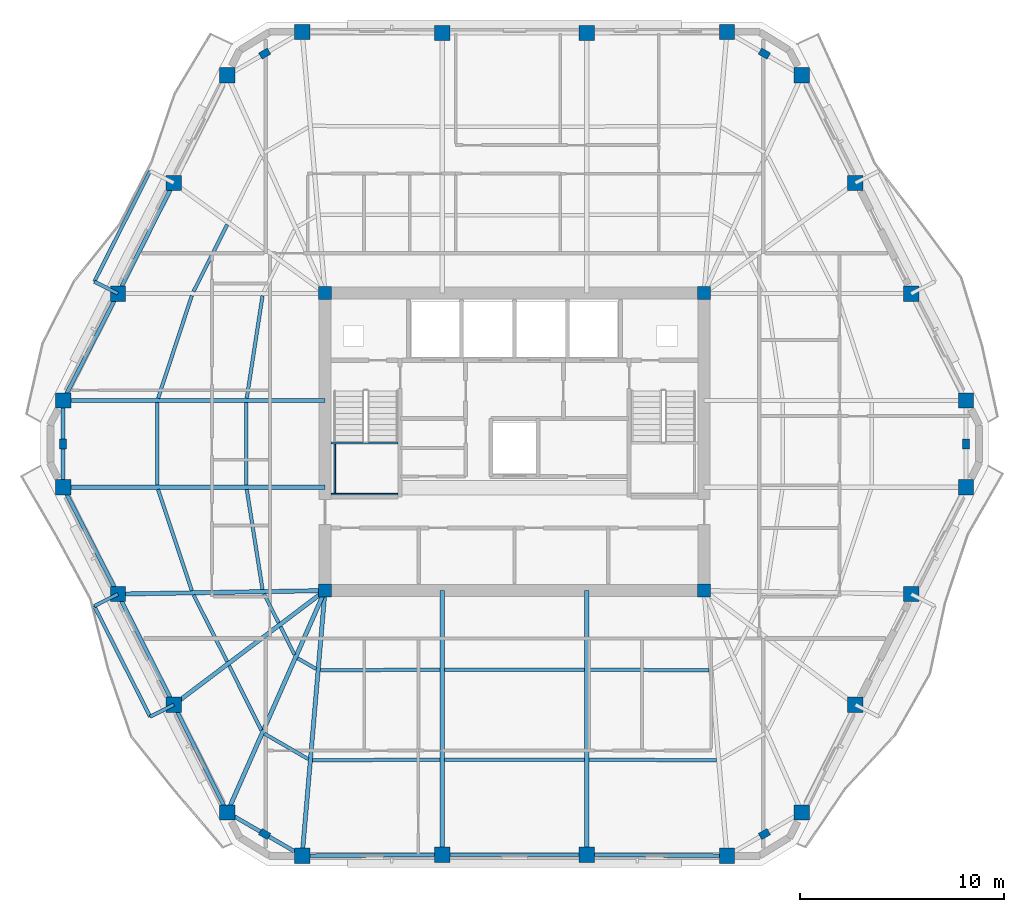
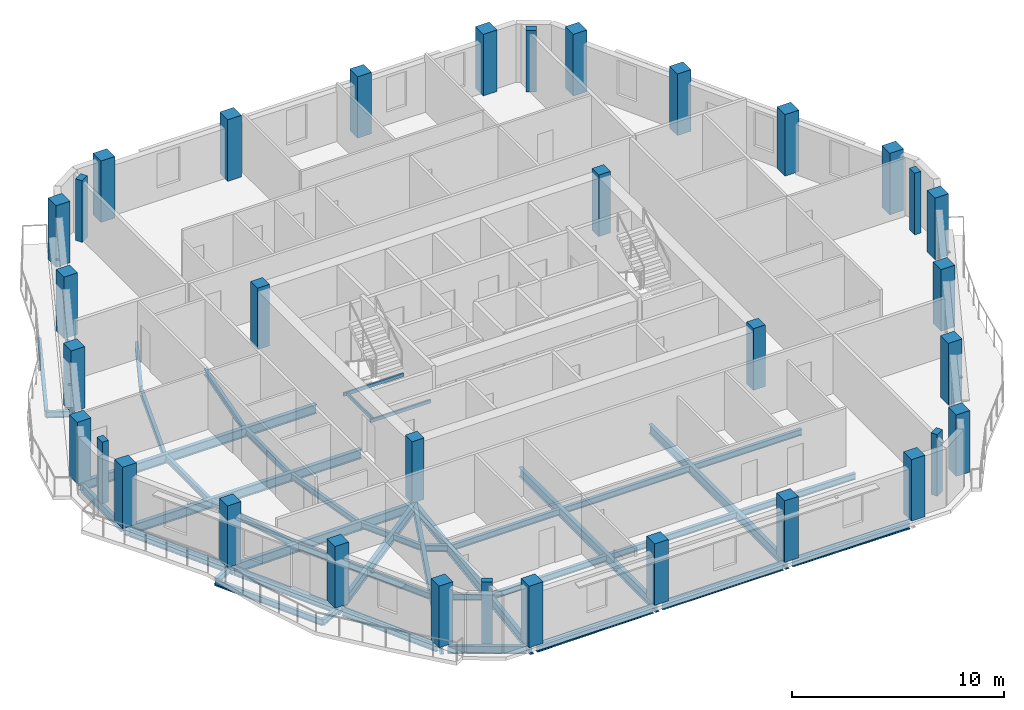
# One storey, part 1 of 12: 45 beams, 34 columns.
"""IFC4 building model written with IfcOpenShell, lengths in metres."""

from ifc_helpers import new_model, si_unit, direction, frame, origin, origin_2d, place, context, subcontext, project, spatial, rectangle, hollow_rectangle, i_section, extrude, material, material_profile, profile_set, type_object, element, save


model = new_model("IFC4")

# Units and contexts
model_context = context("Model", 3, precision=1e-05, world=origin(), true_north=direction((0.0, 1.0)))
body_context = subcontext(model_context, "Body", "Model", "MODEL_VIEW")
ifc_project = project(units=[si_unit("LENGTHUNIT", "METRE"), si_unit("AREAUNIT", "SQUARE_METRE"), si_unit("VOLUMEUNIT", "CUBIC_METRE"), si_unit("PLANEANGLEUNIT", "RADIAN"), si_unit("MASSUNIT", "GRAM", prefix="KILO")], contexts=[model_context])

# Site, building, storey
site_placement = place(None, origin())
site = spatial("IfcSite", under=ifc_project, at=site_placement, CompositionType="ELEMENT")
building_placement = place(site_placement, origin())
building = spatial("IfcBuilding", under=site, at=building_placement, Name="Cinnabar Lancet Tower", CompositionType="ELEMENT")
storey_placement = place(building_placement, frame((0.0, 0.0, 210.949951171875)))
storey = spatial("IfcBuildingStorey", under=building, at=storey_placement, Name="L56", CompositionType="ELEMENT", Elevation=210.949951171875)

# Columns
ifc_material_1 = material(Name="Concrete C60/75", Category="concrete")
ifc_material_profile_1 = material_profile(ifc_material_1, rectangle(XDim=0.64990234375, YDim=0.64990234375, at=origin_2d()), Name="RC-COL 650x650")
ifc_profile_set_1 = profile_set([ifc_material_profile_1], Name="Concrete C60/75")
column_type_1 = type_object("IfcColumnType", Name="STR-COL-CORE-650", PredefinedType="COLUMN", material=ifc_profile_set_1)
for number, where, z_axis, x_axis, name in (
    (1, (23.10009765625, 18.60009765625, 0.0), (0.0, 0.0, 1.0), (1.0, 0.0, 0.0), "L56 Core Corner Column SW"),
    (2, (41.699951171875, 18.60009765625, 0.0), (0.0, 0.0, 1.0), (1.0, 0.0, 0.0), "L56 Core Corner Column SE"),
    (3, (41.699951171875, 33.199951171875, 0.0), (0.0, 0.0, 1.0), (1.0, 0.0, 0.0), "L56 Core Corner Column NE"),
    (4, (23.10009765625, 33.199951171875, 0.0), (0.0, 0.0, 1.0), (1.0, 0.0, 0.0), "L56 Core Corner Column NW"),
):
    element("IfcColumn", number, at=place(storey_placement, frame(where, z_axis=z_axis, x_axis=x_axis)), inside=storey, type_object=column_type_1, Name=name, PredefinedType="COLUMN", context=body_context, shape_type="SweptSolid", body=[
        extrude(rectangle(XDim=0.64990234375, YDim=0.64990234375, at=origin_2d()), origin(), (0.0, 0.0, 1.0), 3.550048828125),
    ])
ifc_material_2 = material(Name="Concrete C60/75", Category="concrete")
ifc_material_profile_2 = material_profile(ifc_material_2, rectangle(XDim=0.5, YDim=0.35009765625, at=origin_2d()), Name="RC-PIL 500x350")
ifc_profile_set_2 = profile_set([ifc_material_profile_2], Name="Concrete C60/75")
column_type_2 = type_object("IfcColumnType", Name="STR-COL-PIL-500", PredefinedType="PILASTER", material=ifc_profile_set_2)
for number, where, z_axis, x_axis, name in (
    (5, (20.14208984375, 6.654052734375, 0.0), (0.0, 0.0, 1.0), (0.865230187018, -0.501374833306, 0.0), "L56 Chamfered Corner Pilaster 1"),
    (6, (44.657958984375, 6.654052734375, 0.0), (0.0, 0.0, 1.0), (0.865230187018, 0.501374833306, 0.0), "L56 Chamfered Corner Pilaster 2"),
    (7, (54.547119140625, 25.800048828125, 0.0), (0.0, 0.0, 1.0), (0.0, 1.0, 0.0), "L56 Chamfered Corner Pilaster 3"),
    (8, (44.657958984375, 44.947021484375, 0.0), (0.0, 0.0, 1.0), (-0.865230187018, 0.501374833306, 0.0), "L56 Chamfered Corner Pilaster 4"),
    (9, (20.14208984375, 44.947021484375, 0.0), (0.0, 0.0, 1.0), (-0.865230187018, -0.501374833306, 0.0), "L56 Chamfered Corner Pilaster 5"),
    (10, (10.2529296875, 25.800048828125, 0.0), (0.0, 0.0, 1.0), (0.0, -1.0, 0.0), "L56 Chamfered Corner Pilaster 6"),
):
    element("IfcColumn", number, at=place(storey_placement, frame(where, z_axis=z_axis, x_axis=x_axis)), inside=storey, type_object=column_type_2, Name=name, PredefinedType="PILASTER", context=body_context, shape_type="SweptSolid", body=[
        extrude(rectangle(XDim=0.5, YDim=0.35009765625, at=origin_2d()), origin(), (0.0, 0.0, 1.0), 3.550048828125),
    ])
ifc_material_3 = material(Name="Concrete C50/60", Category="concrete")
ifc_material_profile_3 = material_profile(ifc_material_3, rectangle(XDim=0.75, YDim=0.75, at=origin_2d()), Name="RC-COL 750x750")
ifc_profile_set_3 = profile_set([ifc_material_profile_3], Name="Concrete C50/60")
column_type_3 = type_object("IfcColumnType", Name="STR-COL-TUBE-750", PredefinedType="COLUMN", material=ifc_profile_set_3)
for number, where, z_axis, x_axis, name in (
    (11, (21.97900390625, 5.589111328125, 0.0), (0.0, 0.0, 1.0), (1.0, 0.0, 0.0), "L56 Perimeter Tube Column 1"),
    (12, (28.85693359375, 5.64208984375, 0.0), (0.0, 0.0, 1.0), (1.0, 0.0, 0.0), "L56 Perimeter Tube Column 2"),
    (13, (35.943115234375, 5.64208984375, 0.0), (0.0, 0.0, 1.0), (1.0, 0.0, 0.0), "L56 Perimeter Tube Column 3"),
    (14, (42.821044921875, 5.589111328125, 0.0), (0.0, 0.0, 1.0), (1.0, 0.0, 0.0), "L56 Perimeter Tube Column 4"),
    (15, (46.4951171875, 7.718017578125, 0.0), (0.0, 0.0, 1.0), (1.0, 0.0, 0.0), "L56 Perimeter Tube Column 5"),
    (16, (49.118896484375, 13.0009765625, 0.0), (0.0, 0.0, 1.0), (1.0, 0.0, 0.0), "L56 Perimeter Tube Column 6"),
    (17, (51.85791015625, 18.428955078125, 0.0), (0.0, 0.0, 1.0), (1.0, 0.0, 0.0), "L56 Perimeter Tube Column 7"),
    (18, (54.547119140625, 23.66796875, 0.0), (0.0, 0.0, 1.0), (1.0, 0.0, 0.0), "L56 Perimeter Tube Column 8"),
    (19, (54.547119140625, 27.931884765625, 0.0), (0.0, 0.0, 1.0), (1.0, 0.0, 0.0), "L56 Perimeter Tube Column 9"),
    (20, (51.85791015625, 33.1708984375, 0.0), (0.0, 0.0, 1.0), (1.0, 0.0, 0.0), "L56 Perimeter Tube Column 10"),
    (21, (49.118896484375, 38.59912109375, 0.0), (0.0, 0.0, 1.0), (1.0, 0.0, 0.0), "L56 Perimeter Tube Column 11"),
    (22, (46.4951171875, 43.882080078125, 0.0), (0.0, 0.0, 1.0), (1.0, 0.0, 0.0), "L56 Perimeter Tube Column 12"),
    (23, (42.821044921875, 46.010986328125, 0.0), (0.0, 0.0, 1.0), (1.0, 0.0, 0.0), "L56 Perimeter Tube Column 13"),
    (24, (35.943115234375, 45.9580078125, 0.0), (0.0, 0.0, 1.0), (1.0, 0.0, 0.0), "L56 Perimeter Tube Column 14"),
    (25, (28.85693359375, 45.9580078125, 0.0), (0.0, 0.0, 1.0), (1.0, 0.0, 0.0), "L56 Perimeter Tube Column 15"),
    (26, (21.97900390625, 46.010986328125, 0.0), (0.0, 0.0, 1.0), (1.0, 0.0, 0.0), "L56 Perimeter Tube Column 16"),
    (27, (18.304931640625, 43.882080078125, 0.0), (0.0, 0.0, 1.0), (1.0, 0.0, 0.0), "L56 Perimeter Tube Column 17"),
    (28, (15.680908203125, 38.59912109375, 0.0), (0.0, 0.0, 1.0), (1.0, 0.0, 0.0), "L56 Perimeter Tube Column 18"),
    (29, (12.94189453125, 33.1708984375, 0.0), (0.0, 0.0, 1.0), (1.0, 0.0, 0.0), "L56 Perimeter Tube Column 19"),
    (30, (10.2529296875, 27.931884765625, 0.0), (0.0, 0.0, 1.0), (1.0, 0.0, 0.0), "L56 Perimeter Tube Column 20"),
    (31, (10.2529296875, 23.66796875, 0.0), (0.0, 0.0, 1.0), (1.0, 0.0, 0.0), "L56 Perimeter Tube Column 21"),
    (32, (12.94189453125, 18.428955078125, 0.0), (0.0, 0.0, 1.0), (1.0, 0.0, 0.0), "L56 Perimeter Tube Column 22"),
    (33, (15.680908203125, 13.0009765625, 0.0), (0.0, 0.0, 1.0), (1.0, 0.0, 0.0), "L56 Perimeter Tube Column 23"),
    (34, (18.304931640625, 7.718017578125, 0.0), (0.0, 0.0, 1.0), (1.0, 0.0, 0.0), "L56 Perimeter Tube Column 24"),
):
    element("IfcColumn", number, at=place(storey_placement, frame(where, z_axis=z_axis, x_axis=x_axis)), inside=storey, type_object=column_type_3, Name=name, PredefinedType="COLUMN", context=body_context, shape_type="SweptSolid", body=[
        extrude(rectangle(XDim=0.75, YDim=0.75, at=origin_2d()), origin(), (0.0, 0.0, 1.0), 3.550048828125),
    ])

# Beams
ifc_material_4 = material(Name="Structural steel S355", Category="steel")
ifc_material_profile_4 = material_profile(ifc_material_4, i_section(OverallWidth=0.17138671875, OverallDepth=0.35498046875, WebThickness=0.00732421875, FlangeThickness=0.011474609375, FilletRadius=0.01025390625, at=origin_2d()), Name="UKB 356x171x51")
ifc_profile_set_4 = profile_set([ifc_material_profile_4], Name="Structural steel S355")
beam_type_1 = type_object("IfcBeamType", Name="STR-BM-JST-356", PredefinedType="JOIST", material=ifc_profile_set_4)
beam_1_placement = place(storey_placement, frame((14.9130859375, 23.56298828125, -0.3779296875), z_axis=(0.315346227037, -0.948976689436, 0.0), x_axis=(0.948976689436, 0.315346227037, 0.0)))
element("IfcBeam", 35, at=beam_1_placement, inside=storey, type_object=beam_type_1, Name="L56 Secondary Floor Joist 1", PredefinedType="JOIST", context=body_context, shape_type="SweptSolid", body=[
    extrude(i_section(OverallWidth=0.17138671875, OverallDepth=0.35498046875, WebThickness=0.00732421875, FlangeThickness=0.011474609375, FilletRadius=0.01025390625, at=origin_2d()), origin(), (0.0, 0.0, 1.0), 5.235107421875),
])
beam_2_placement = place(storey_placement, frame((19.261962890625, 23.56298828125, -0.3779296875), z_axis=(0.155702775827, -0.987803950994, 0.0), x_axis=(0.987803950994, 0.155702775827, 0.0)))
element("IfcBeam", 36, at=beam_2_placement, inside=storey, type_object=beam_type_1, Name="L56 Secondary Floor Joist 2", PredefinedType="JOIST", context=body_context, shape_type="SweptSolid", body=[
    extrude(i_section(OverallWidth=0.17138671875, OverallDepth=0.35498046875, WebThickness=0.00732421875, FlangeThickness=0.011474609375, FilletRadius=0.01025390625, at=origin_2d()), origin(), (0.0, 0.0, 1.0), 4.970458984375),
])
beam_3_placement = place(storey_placement, frame((16.65087890625, 18.386962890625, -0.3779296875), z_axis=(0.45061776862, -0.892716991327, 0.0), x_axis=(0.892716991327, 0.45061776862, 0.0)))
element("IfcBeam", 37, at=beam_3_placement, inside=storey, type_object=beam_type_1, Name="L56 Secondary Floor Joist 3", PredefinedType="JOIST", context=body_context, shape_type="SweptSolid", body=[
    extrude(i_section(OverallWidth=0.17138671875, OverallDepth=0.35498046875, WebThickness=0.00732421875, FlangeThickness=0.011474609375, FilletRadius=0.01025390625, at=origin_2d()), origin(), (0.0, 0.0, 1.0), 3.66845703125),
])
beam_4_placement = place(storey_placement, frame((20.10498046875, 18.445068359375, -0.3779296875), z_axis=(0.450137936259, -0.892959035085, 0.0), x_axis=(0.892959035085, 0.450137936259, 0.0)))
element("IfcBeam", 38, at=beam_4_placement, inside=storey, type_object=beam_type_1, Name="L56 Secondary Floor Joist 4", PredefinedType="JOIST", context=body_context, shape_type="SweptSolid", body=[
    extrude(i_section(OverallWidth=0.17138671875, OverallDepth=0.35498046875, WebThickness=0.00732421875, FlangeThickness=0.011474609375, FilletRadius=0.01025390625, at=origin_2d()), origin(), (0.0, 0.0, 1.0), 1.6015625),
])
beam_5_placement = place(storey_placement, frame((18.39892578125, 14.9208984375, -0.3779296875), z_axis=(0.445083338565, -0.895489152214, 0.0), x_axis=(0.895489152214, 0.445083338565, 0.0)))
element("IfcBeam", 39, at=beam_5_placement, inside=storey, type_object=beam_type_1, Name="L56 Secondary Floor Joist 5", PredefinedType="JOIST", context=body_context, shape_type="SweptSolid", body=[
    extrude(i_section(OverallWidth=0.17138671875, OverallDepth=0.35498046875, WebThickness=0.00732421875, FlangeThickness=0.011474609375, FilletRadius=0.01025390625, at=origin_2d()), origin(), (0.0, 0.0, 1.0), 3.531982421875),
])
beam_6_placement = place(storey_placement, frame((20.922119140625, 16.824951171875, -0.3779296875), z_axis=(0.444589856968, -0.895734256954, 0.0), x_axis=(0.895734256954, 0.444589856968, 0.0)))
element("IfcBeam", 40, at=beam_6_placement, inside=storey, type_object=beam_type_1, Name="L56 Secondary Floor Joist 6", PredefinedType="JOIST", context=body_context, shape_type="SweptSolid", body=[
    extrude(i_section(OverallWidth=0.17138671875, OverallDepth=0.35498046875, WebThickness=0.00732421875, FlangeThickness=0.011474609375, FilletRadius=0.01025390625, at=origin_2d()), origin(), (0.0, 0.0, 1.0), 1.527099609375),
])
beam_7_placement = place(storey_placement, frame((20.1220703125, 11.5830078125, -0.3779296875), z_axis=(0.865267839663, -0.501309849937, 0.0), x_axis=(0.501309849937, 0.865267839663, 0.0)))
element("IfcBeam", 41, at=beam_7_placement, inside=storey, type_object=beam_type_1, Name="L56 Secondary Floor Joist 7", PredefinedType="JOIST", context=body_context, shape_type="SweptSolid", body=[
    extrude(i_section(OverallWidth=0.17138671875, OverallDepth=0.35498046875, WebThickness=0.00732421875, FlangeThickness=0.011474609375, FilletRadius=0.01025390625, at=origin_2d()), origin(), (0.0, 0.0, 1.0), 2.497314453125),
])
beam_8_placement = place(storey_placement, frame((21.7529296875, 15.282958984375, -0.3779296875), z_axis=(0.8651881055, -0.501447446998, 0.0), x_axis=(0.501447446998, 0.8651881055, 0.0)))
element("IfcBeam", 42, at=beam_8_placement, inside=storey, type_object=beam_type_1, Name="L56 Secondary Floor Joist 8", PredefinedType="JOIST", context=body_context, shape_type="SweptSolid", body=[
    extrude(i_section(OverallWidth=0.17138671875, OverallDepth=0.35498046875, WebThickness=0.00732421875, FlangeThickness=0.011474609375, FilletRadius=0.01025390625, at=origin_2d()), origin(), (0.0, 0.0, 1.0), 1.05322265625),
])
beam_9_placement = place(storey_placement, frame((22.488037109375, 10.27392578125, -0.3779296875), z_axis=(0.999986965561, 0.005105752523, 0.0), x_axis=(-0.005105752523, 0.999986965561, 0.0)))
element("IfcBeam", 43, at=beam_9_placement, inside=storey, type_object=beam_type_1, Name="L56 Secondary Floor Joist 9", PredefinedType="JOIST", context=body_context, shape_type="SweptSolid", body=[
    extrude(i_section(OverallWidth=0.17138671875, OverallDepth=0.35498046875, WebThickness=0.00732421875, FlangeThickness=0.011474609375, FilletRadius=0.01025390625, at=origin_2d()), origin(), (0.0, 0.0, 1.0), 6.263916015625),
])
beam_10_placement = place(storey_placement, frame((22.868896484375, 14.697021484375, -0.3779296875), z_axis=(0.999996795933, 0.002531427338, 0.0), x_axis=(-0.002531427338, 0.999996795933, 0.0)))
element("IfcBeam", 44, at=beam_10_placement, inside=storey, type_object=beam_type_1, Name="L56 Secondary Floor Joist 10", PredefinedType="JOIST", context=body_context, shape_type="SweptSolid", body=[
    extrude(i_section(OverallWidth=0.17138671875, OverallDepth=0.35498046875, WebThickness=0.00732421875, FlangeThickness=0.011474609375, FilletRadius=0.01025390625, at=origin_2d()), origin(), (0.0, 0.0, 1.0), 5.883056640625),
])
for number, where, z_axis, x_axis, name in (
    (45, (28.9619140625, 10.306884765625, -0.3779296875), (1.0, 0.0, 0.0), (0.0, 1.0, 0.0), "L56 Secondary Floor Joist 11"),
    (46, (28.9619140625, 14.712890625, -0.3779296875), (1.0, 0.0, 0.0), (0.0, 1.0, 0.0), "L56 Secondary Floor Joist 12"),
):
    element("IfcBeam", number, at=place(storey_placement, frame(where, z_axis=z_axis, x_axis=x_axis)), inside=storey, type_object=beam_type_1, Name=name, PredefinedType="JOIST", context=body_context, shape_type="SweptSolid", body=[
        extrude(i_section(OverallWidth=0.17138671875, OverallDepth=0.35498046875, WebThickness=0.00732421875, FlangeThickness=0.011474609375, FilletRadius=0.01025390625, at=origin_2d()), origin(), (0.0, 0.0, 1.0), 6.8759765625),
    ])
beam_11_placement = place(storey_placement, frame((36.048095703125, 10.305908203125, -0.3779296875), z_axis=(0.999986965561, -0.005105752523, 0.0), x_axis=(0.005105752523, 0.999986965561, 0.0)))
element("IfcBeam", 47, at=beam_11_placement, inside=storey, type_object=beam_type_1, Name="L56 Secondary Floor Joist 13", PredefinedType="JOIST", context=body_context, shape_type="SweptSolid", body=[
    extrude(i_section(OverallWidth=0.17138671875, OverallDepth=0.35498046875, WebThickness=0.00732421875, FlangeThickness=0.011474609375, FilletRadius=0.01025390625, at=origin_2d()), origin(), (0.0, 0.0, 1.0), 6.263916015625),
])
beam_12_placement = place(storey_placement, frame((36.048095703125, 14.7119140625, -0.3779296875), z_axis=(0.999996795667, -0.002531532393, 0.0), x_axis=(0.002531532393, 0.999996795667, 0.0)))
element("IfcBeam", 48, at=beam_12_placement, inside=storey, type_object=beam_type_1, Name="L56 Secondary Floor Joist 14", PredefinedType="JOIST", context=body_context, shape_type="SweptSolid", body=[
    extrude(i_section(OverallWidth=0.17138671875, OverallDepth=0.35498046875, WebThickness=0.00732421875, FlangeThickness=0.011474609375, FilletRadius=0.01025390625, at=origin_2d()), origin(), (0.0, 0.0, 1.0), 5.8828125),
])
beam_13_placement = place(storey_placement, frame((18.303955078125, 36.56103515625, -0.3779296875), z_axis=(-0.449230875134, -0.893415704376, 0.0), x_axis=(0.893415704376, -0.449230875134, 0.0)))
element("IfcBeam", 49, at=beam_13_placement, inside=storey, type_object=beam_type_1, Name="L56 Secondary Floor Joist 43", PredefinedType="JOIST", context=body_context, shape_type="SweptSolid", body=[
    extrude(i_section(OverallWidth=0.17138671875, OverallDepth=0.35498046875, WebThickness=0.00732421875, FlangeThickness=0.011474609375, FilletRadius=0.01025390625, at=origin_2d()), origin(), (0.0, 0.0, 1.0), 3.677001953125),
])
beam_14_placement = place(storey_placement, frame((16.56494140625, 33.06591796875, -0.3779296875), z_axis=(-0.312240109925, -0.95000321776, 0.0), x_axis=(0.95000321776, -0.312240109925, 0.0)))
element("IfcBeam", 50, at=beam_14_placement, inside=storey, type_object=beam_type_1, Name="L56 Secondary Floor Joist 45", PredefinedType="JOIST", context=body_context, shape_type="SweptSolid", body=[
    extrude(i_section(OverallWidth=0.17138671875, OverallDepth=0.35498046875, WebThickness=0.00732421875, FlangeThickness=0.011474609375, FilletRadius=0.01025390625, at=origin_2d()), origin(), (0.0, 0.0, 1.0), 5.29345703125),
])
beam_15_placement = place(storey_placement, frame((20.035888671875, 33.06591796875, -0.3779296875), z_axis=(-0.152107663797, -0.988363930248, 0.0), x_axis=(0.988363930248, -0.152107663797, 0.0)))
element("IfcBeam", 51, at=beam_15_placement, inside=storey, type_object=beam_type_1, Name="L56 Secondary Floor Joist 46", PredefinedType="JOIST", context=body_context, shape_type="SweptSolid", body=[
    extrude(i_section(OverallWidth=0.17138671875, OverallDepth=0.35498046875, WebThickness=0.00732421875, FlangeThickness=0.011474609375, FilletRadius=0.01025390625, at=origin_2d()), origin(), (0.0, 0.0, 1.0), 5.088134765625),
])
for number, where, z_axis, x_axis, name in (
    (52, (14.8779296875, 27.826904296875, -0.3779296875), (0.0, -1.0, 0.0), (1.0, 0.0, 0.0), "L56 Secondary Floor Joist 47"),
    (53, (19.24609375, 27.826904296875, -0.3779296875), (0.0, -1.0, 0.0), (1.0, 0.0, 0.0), "L56 Secondary Floor Joist 48"),
):
    element("IfcBeam", number, at=place(storey_placement, frame(where, z_axis=z_axis, x_axis=x_axis)), inside=storey, type_object=beam_type_1, Name=name, PredefinedType="JOIST", context=body_context, shape_type="SweptSolid", body=[
        extrude(i_section(OverallWidth=0.17138671875, OverallDepth=0.35498046875, WebThickness=0.00732421875, FlangeThickness=0.011474609375, FilletRadius=0.01025390625, at=origin_2d()), origin(), (0.0, 0.0, 1.0), 4.053955078125),
    ])
ifc_material_5 = material(Name="Structural steel S355", Category="steel")
ifc_material_profile_5 = material_profile(ifc_material_5, hollow_rectangle(XDim=0.10009765625, YDim=0.199951171875, WallThickness=0.008056640625, InnerFilletRadius=0.00390625, OuterFilletRadius=0.011962890625, at=origin_2d()), Name="RHS 200x100x8")
ifc_profile_set_5 = profile_set([ifc_material_profile_5], Name="Structural steel S355")
beam_type_2 = type_object("IfcBeamType", Name="STR-BM-LND-203", PredefinedType="BEAM", material=ifc_profile_set_5)
for number, where, z_axis, x_axis, name in (
    (54, (23.39990234375, 23.330078125, 1.47509765625), (1.0, 0.0, 0.0), (0.0, 1.0, 0.0), "L56 ST-1-L56 Landing Support Beam S"),
    (55, (23.39990234375, 25.844970703125, 1.47509765625), (1.0, 0.0, 0.0), (0.0, 1.0, 0.0), "L56 ST-1-L56 Landing Support Beam N"),
):
    element("IfcBeam", number, at=place(storey_placement, frame(where, z_axis=z_axis, x_axis=x_axis)), inside=storey, type_object=beam_type_2, Name=name, PredefinedType="BEAM", context=body_context, shape_type="SweptSolid", body=[
        extrude(hollow_rectangle(XDim=0.10009765625, YDim=0.199951171875, WallThickness=0.008056640625, InnerFilletRadius=0.00390625, OuterFilletRadius=0.011962890625, at=origin_2d()), origin(), (0.0, 0.0, 1.0), 3.280029296875),
    ])
beam_16_placement = place(storey_placement, frame((23.580078125, 23.3798828125, 1.47509765625), z_axis=(0.0, 1.0, 0.0), x_axis=(-1.0, 0.0, 0.0)))
element("IfcBeam", 56, at=beam_16_placement, inside=storey, type_object=beam_type_2, Name="L56 ST-1-L56 Landing Side Trimmer Beam", PredefinedType="BEAM", context=body_context, shape_type="SweptSolid", body=[
    extrude(hollow_rectangle(XDim=0.10009765625, YDim=0.199951171875, WallThickness=0.008056640625, InnerFilletRadius=0.00390625, OuterFilletRadius=0.011962890625, at=origin_2d()), origin(), (0.0, 0.0, 1.0), 2.4150390625),
])
ifc_material_6 = material(Name="Structural steel S355", Category="steel")
ifc_material_profile_6 = material_profile(ifc_material_6, i_section(OverallWidth=0.1904296875, OverallDepth=0.45703125, WebThickness=0.009033203125, FlangeThickness=0.014404296875, FilletRadius=0.01025390625, at=origin_2d()), Name="UKB 457x191x74")
ifc_profile_set_6 = profile_set([ifc_material_profile_6], Name="Structural steel S355")
beam_type_3 = type_object("IfcBeamType", Name="STR-BM-SPN-457", PredefinedType="SPANDREL", material=ifc_profile_set_6)
beam_17_placement = place(storey_placement, frame((22.22900390625, 5.591064453125, -0.427978515625), z_axis=(0.999970695686, 0.007655571089, 0.0), x_axis=(-0.007655571089, 0.999970695686, 0.0)))
element("IfcBeam", 57, at=beam_17_placement, inside=storey, type_object=beam_type_3, Name="L56 Perimeter Spandrel 1", PredefinedType="SPANDREL", context=body_context, shape_type="SweptSolid", body=[
    extrude(i_section(OverallWidth=0.1904296875, OverallDepth=0.45703125, WebThickness=0.009033203125, FlangeThickness=0.014404296875, FilletRadius=0.01025390625, at=origin_2d()), origin(), (0.0, 0.0, 1.0), 6.378173828125),
])
beam_18_placement = place(storey_placement, frame((29.10693359375, 5.64208984375, -0.427978515625), z_axis=(1.0, 0.0, 0.0), x_axis=(0.0, 1.0, 0.0)))
element("IfcBeam", 58, at=beam_18_placement, inside=storey, type_object=beam_type_3, Name="L56 Perimeter Spandrel 2", PredefinedType="SPANDREL", context=body_context, shape_type="SweptSolid", body=[
    extrude(i_section(OverallWidth=0.1904296875, OverallDepth=0.45703125, WebThickness=0.009033203125, FlangeThickness=0.014404296875, FilletRadius=0.01025390625, at=origin_2d()), origin(), (0.0, 0.0, 1.0), 6.586181640625),
])
beam_19_placement = place(storey_placement, frame((36.193115234375, 5.639892578125, -0.427978515625), z_axis=(0.999970695686, -0.007655571089, 0.0), x_axis=(0.007655571089, 0.999970695686, 0.0)))
element("IfcBeam", 59, at=beam_19_placement, inside=storey, type_object=beam_type_3, Name="L56 Perimeter Spandrel 3", PredefinedType="SPANDREL", context=body_context, shape_type="SweptSolid", body=[
    extrude(i_section(OverallWidth=0.1904296875, OverallDepth=0.45703125, WebThickness=0.009033203125, FlangeThickness=0.014404296875, FilletRadius=0.01025390625, at=origin_2d()), origin(), (0.0, 0.0, 1.0), 6.378173828125),
])
beam_20_placement = place(storey_placement, frame((15.568115234375, 38.3759765625, -0.427978515625), z_axis=(-0.450395996562, -0.892828900899, 0.0), x_axis=(0.892828900899, -0.450395996562, 0.0)))
element("IfcBeam", 60, at=beam_20_placement, inside=storey, type_object=beam_type_3, Name="L56 Perimeter Spandrel 18", PredefinedType="SPANDREL", context=body_context, shape_type="SweptSolid", body=[
    extrude(i_section(OverallWidth=0.1904296875, OverallDepth=0.45703125, WebThickness=0.009033203125, FlangeThickness=0.014404296875, FilletRadius=0.01025390625, at=origin_2d()), origin(), (0.0, 0.0, 1.0), 5.579833984375),
])
beam_21_placement = place(storey_placement, frame((12.827880859375, 32.948974609375, -0.427978515625), z_axis=(-0.456610910924, -0.889666497079, 0.0), x_axis=(0.889666497079, -0.456610910924, 0.0)))
element("IfcBeam", 61, at=beam_21_placement, inside=storey, type_object=beam_type_3, Name="L56 Perimeter Spandrel 19", PredefinedType="SPANDREL", context=body_context, shape_type="SweptSolid", body=[
    extrude(i_section(OverallWidth=0.1904296875, OverallDepth=0.45703125, WebThickness=0.009033203125, FlangeThickness=0.014404296875, FilletRadius=0.01025390625, at=origin_2d()), origin(), (0.0, 0.0, 1.0), 5.3896484375),
])
beam_22_placement = place(storey_placement, frame((10.2529296875, 27.681884765625, -0.427978515625), z_axis=(0.0, -1.0, 0.0), x_axis=(1.0, 0.0, 0.0)))
element("IfcBeam", 62, at=beam_22_placement, inside=storey, type_object=beam_type_3, Name="L56 Perimeter Spandrel 20", PredefinedType="SPANDREL", context=body_context, shape_type="SweptSolid", body=[
    extrude(i_section(OverallWidth=0.1904296875, OverallDepth=0.45703125, WebThickness=0.009033203125, FlangeThickness=0.014404296875, FilletRadius=0.01025390625, at=origin_2d()), origin(), (0.0, 0.0, 1.0), 3.763916015625),
])
beam_23_placement = place(storey_placement, frame((10.366943359375, 23.446044921875, -0.427978515625), z_axis=(0.456592509812, -0.889675940994, 0.0), x_axis=(0.889675940994, 0.456592509812, 0.0)))
element("IfcBeam", 63, at=beam_23_placement, inside=storey, type_object=beam_type_3, Name="L56 Perimeter Spandrel 21", PredefinedType="SPANDREL", context=body_context, shape_type="SweptSolid", body=[
    extrude(i_section(OverallWidth=0.1904296875, OverallDepth=0.45703125, WebThickness=0.009033203125, FlangeThickness=0.014404296875, FilletRadius=0.01025390625, at=origin_2d()), origin(), (0.0, 0.0, 1.0), 5.389892578125),
])
beam_24_placement = place(storey_placement, frame((13.054931640625, 18.2060546875, -0.427978515625), z_axis=(0.450395996562, -0.892828900899, 0.0), x_axis=(0.892828900899, 0.450395996562, 0.0)))
element("IfcBeam", 64, at=beam_24_placement, inside=storey, type_object=beam_type_3, Name="L56 Perimeter Spandrel 22", PredefinedType="SPANDREL", context=body_context, shape_type="SweptSolid", body=[
    extrude(i_section(OverallWidth=0.1904296875, OverallDepth=0.45703125, WebThickness=0.009033203125, FlangeThickness=0.014404296875, FilletRadius=0.01025390625, at=origin_2d()), origin(), (0.0, 0.0, 1.0), 5.579833984375),
])
beam_25_placement = place(storey_placement, frame((15.7919921875, 12.777099609375, -0.427978515625), z_axis=(0.444914968367, -0.895572817208, 0.0), x_axis=(0.895572817208, 0.444914968367, 0.0)))
element("IfcBeam", 65, at=beam_25_placement, inside=storey, type_object=beam_type_3, Name="L56 Perimeter Spandrel 23", PredefinedType="SPANDREL", context=body_context, shape_type="SweptSolid", body=[
    extrude(i_section(OverallWidth=0.1904296875, OverallDepth=0.45703125, WebThickness=0.009033203125, FlangeThickness=0.014404296875, FilletRadius=0.01025390625, at=origin_2d()), origin(), (0.0, 0.0, 1.0), 5.39892578125),
])
beam_26_placement = place(storey_placement, frame((18.52099609375, 7.593017578125, -0.427978515625), z_axis=(0.865195717586, -0.501434313016, 0.0), x_axis=(0.501434313016, 0.865195717586, 0.0)))
element("IfcBeam", 66, at=beam_26_placement, inside=storey, type_object=beam_type_3, Name="L56 Perimeter Spandrel 24", PredefinedType="SPANDREL", context=body_context, shape_type="SweptSolid", body=[
    extrude(i_section(OverallWidth=0.1904296875, OverallDepth=0.45703125, WebThickness=0.009033203125, FlangeThickness=0.014404296875, FilletRadius=0.01025390625, at=origin_2d()), origin(), (0.0, 0.0, 1.0), 3.7470703125),
])
ifc_material_7 = material(Name="Structural steel S355", Category="steel")
ifc_material_profile_7 = material_profile(ifc_material_7, i_section(OverallWidth=0.209228515625, OverallDepth=0.533203125, WebThickness=0.010009765625, FlangeThickness=0.015625, FilletRadius=0.0126953125, at=origin_2d()), Name="UKB 533x210x92")
ifc_profile_set_7 = profile_set([ifc_material_profile_7], Name="Structural steel S355")
beam_type_4 = type_object("IfcBeamType", Name="STR-BM-UKB533-92", PredefinedType="BEAM", material=ifc_profile_set_7)
beam_27_placement = place(storey_placement, frame((15.680908203125, 13.0009765625, -0.467041015625), z_axis=(0.798202971293, 0.602388592703, 0.0), x_axis=(-0.602388592703, 0.798202971293, 0.0)))
element("IfcBeam", 67, at=beam_27_placement, inside=storey, type_object=beam_type_4, Name="L56 Corner Collector Girder 1", PredefinedType="BEAM", context=body_context, shape_type="SweptSolid", body=[
    extrude(i_section(OverallWidth=0.209228515625, OverallDepth=0.533203125, WebThickness=0.010009765625, FlangeThickness=0.015625, FilletRadius=0.0126953125, at=origin_2d()), origin(), (0.0, 0.0, 1.0), 9.294921875),
])
beam_28_placement = place(storey_placement, frame((21.97900390625, 5.589111328125, -0.467041015625), z_axis=(0.085847068729, 0.996308326167, 0.0), x_axis=(-0.996308326167, 0.085847068729, 0.0)))
element("IfcBeam", 68, at=beam_28_placement, inside=storey, type_object=beam_type_4, Name="L56 Primary Floor Girder 1", PredefinedType="BEAM", context=body_context, shape_type="SweptSolid", body=[
    extrude(i_section(OverallWidth=0.209228515625, OverallDepth=0.533203125, WebThickness=0.010009765625, FlangeThickness=0.015625, FilletRadius=0.0126953125, at=origin_2d()), origin(), (0.0, 0.0, 1.0), 13.05908203125),
])
for number, where, z_axis, x_axis, name in (
    (69, (28.85693359375, 5.64208984375, -0.467041015625), (0.0, 1.0, 0.0), (-1.0, 0.0, 0.0), "L56 Primary Floor Girder 2"),
    (70, (35.943115234375, 5.64208984375, -0.467041015625), (0.0, 1.0, 0.0), (-1.0, 0.0, 0.0), "L56 Primary Floor Girder 3"),
):
    element("IfcBeam", number, at=place(storey_placement, frame(where, z_axis=z_axis, x_axis=x_axis)), inside=storey, type_object=beam_type_4, Name=name, PredefinedType="BEAM", context=body_context, shape_type="SweptSolid", body=[
        extrude(i_section(OverallWidth=0.209228515625, OverallDepth=0.533203125, WebThickness=0.010009765625, FlangeThickness=0.015625, FilletRadius=0.0126953125, at=origin_2d()), origin(), (0.0, 0.0, 1.0), 12.9580078125),
    ])
for number, where, z_axis, x_axis, name in (
    (71, (10.2529296875, 27.931884765625, -0.467041015625), (1.0, 0.0, 0.0), (0.0, 1.0, 0.0), "L56 Primary Floor Girder 20"),
    (72, (10.2529296875, 23.66796875, -0.467041015625), (1.0, 0.0, 0.0), (0.0, 1.0, 0.0), "L56 Primary Floor Girder 21"),
):
    element("IfcBeam", number, at=place(storey_placement, frame(where, z_axis=z_axis, x_axis=x_axis)), inside=storey, type_object=beam_type_4, Name=name, PredefinedType="BEAM", context=body_context, shape_type="SweptSolid", body=[
        extrude(i_section(OverallWidth=0.209228515625, OverallDepth=0.533203125, WebThickness=0.010009765625, FlangeThickness=0.015625, FilletRadius=0.0126953125, at=origin_2d()), origin(), (0.0, 0.0, 1.0), 12.84716796875),
    ])
beam_29_placement = place(storey_placement, frame((12.94189453125, 18.428955078125, -0.467041015625), z_axis=(0.999858107345, 0.016845331024, 0.0), x_axis=(-0.016845331024, 0.999858107345, 0.0)))
element("IfcBeam", 73, at=beam_29_placement, inside=storey, type_object=beam_type_4, Name="L56 Primary Floor Girder 22", PredefinedType="BEAM", context=body_context, shape_type="SweptSolid", body=[
    extrude(i_section(OverallWidth=0.209228515625, OverallDepth=0.533203125, WebThickness=0.010009765625, FlangeThickness=0.015625, FilletRadius=0.0126953125, at=origin_2d()), origin(), (0.0, 0.0, 1.0), 10.15966796875),
])
beam_30_placement = place(storey_placement, frame((18.304931640625, 7.718017578125, -0.467041015625), z_axis=(0.403235299754, 0.915096329919, 0.0), x_axis=(-0.915096329919, 0.403235299754, 0.0)))
element("IfcBeam", 74, at=beam_30_placement, inside=storey, type_object=beam_type_4, Name="L56 Primary Floor Girder 24", PredefinedType="BEAM", context=body_context, shape_type="SweptSolid", body=[
    extrude(i_section(OverallWidth=0.209228515625, OverallDepth=0.533203125, WebThickness=0.010009765625, FlangeThickness=0.015625, FilletRadius=0.0126953125, at=origin_2d()), origin(), (0.0, 0.0, 1.0), 11.891845703125),
])
ifc_material_8 = material(Name="Structural steel S355", Category="steel")
ifc_material_profile_8 = material_profile(ifc_material_8, i_section(OverallWidth=0.17138671875, OverallDepth=0.35498046875, WebThickness=0.00732421875, FlangeThickness=0.011474609375, FilletRadius=0.01025390625, at=origin_2d()), Name="UKB 356x171x51")
ifc_profile_set_8 = profile_set([ifc_material_profile_8], Name="Structural steel S355")
beam_type_5 = type_object("IfcBeamType", Name="STR-BM-WAV-OUT", PredefinedType="BEAM", material=ifc_profile_set_8)
for number, where, z_axis, x_axis, name in (
    (75, (12.94189453125, 33.1708984375, -0.39794921875), (-0.892200264127, 0.451639998995, 0.0), (-0.451639998995, -0.892200264127, 0.0), "L56 Face 5 Balcony Outlooker B"),
    (76, (12.94189453125, 18.428955078125, -0.39794921875), (-0.89227592947, -0.451490493464, 0.0), (0.451490493464, -0.89227592947, 0.0), "L56 Face 6 Balcony Outlooker A"),
    (77, (15.680908203125, 13.0009765625, -0.39794921875), (-0.89227592947, -0.451490493464, 0.0), (0.451490493464, -0.89227592947, 0.0), "L56 Face 6 Balcony Outlooker B"),
):
    element("IfcBeam", number, at=place(storey_placement, frame(where, z_axis=z_axis, x_axis=x_axis)), inside=storey, type_object=beam_type_5, Name=name, PredefinedType="BEAM", context=body_context, shape_type="SweptSolid", body=[
        extrude(i_section(OverallWidth=0.17138671875, OverallDepth=0.35498046875, WebThickness=0.00732421875, FlangeThickness=0.011474609375, FilletRadius=0.01025390625, at=origin_2d()), origin(), (0.0, 0.0, 1.0), 1.300048828125),
    ])
ifc_material_9 = material(Name="Structural steel S355", Category="steel")
ifc_material_profile_9 = material_profile(ifc_material_9, i_section(OverallWidth=0.17138671875, OverallDepth=0.35498046875, WebThickness=0.00732421875, FlangeThickness=0.011474609375, FilletRadius=0.01025390625, at=origin_2d()), Name="UKB 356x171x51")
ifc_profile_set_9 = profile_set([ifc_material_profile_9], Name="Structural steel S355")
beam_type_6 = type_object("IfcBeamType", Name="STR-BM-WAV-TRIM", PredefinedType="SPANDREL", material=ifc_profile_set_9)
for number, where, z_axis, x_axis, name in (
    (78, (14.52099609375, 39.18603515625, -0.39794921875), (-0.450503306898, -0.892774759093, 0.0), (0.892774759093, -0.450503306898, 0.0), "L56 Face 5 Balcony Edge Trimmer"),
    (79, (11.781982421875, 17.842041015625, -0.39794921875), (0.450503306898, -0.892774759093, 0.0), (0.892774759093, 0.450503306898, 0.0), "L56 Face 6 Balcony Edge Trimmer"),
):
    element("IfcBeam", number, at=place(storey_placement, frame(where, z_axis=z_axis, x_axis=x_axis)), inside=storey, type_object=beam_type_6, Name=name, PredefinedType="SPANDREL", context=body_context, shape_type="SweptSolid", body=[
        extrude(i_section(OverallWidth=0.17138671875, OverallDepth=0.35498046875, WebThickness=0.00732421875, FlangeThickness=0.011474609375, FilletRadius=0.01025390625, at=origin_2d()), origin(), (0.0, 0.0, 1.0), 6.079833984375),
    ])

save(model, "model.ifc")
